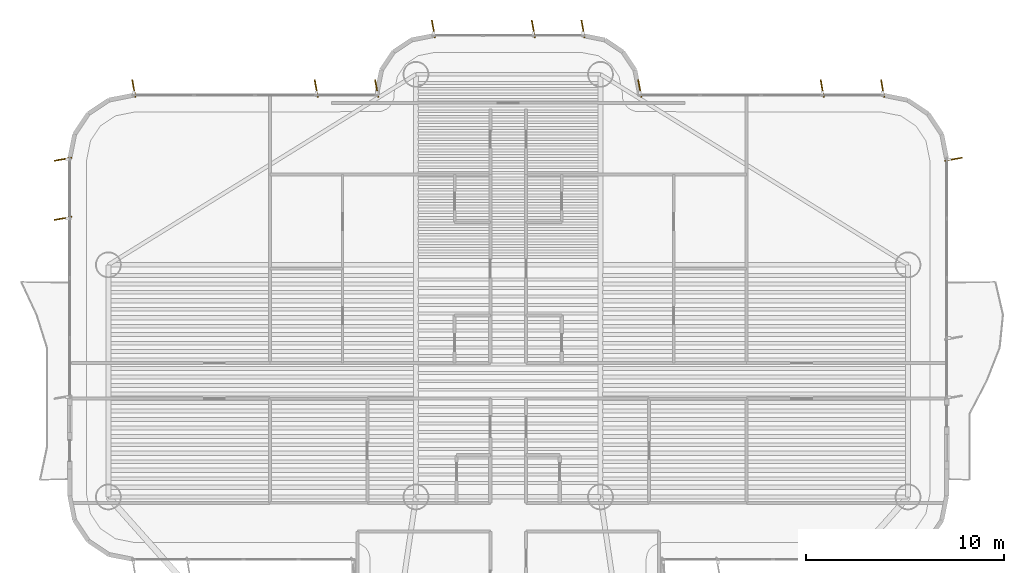
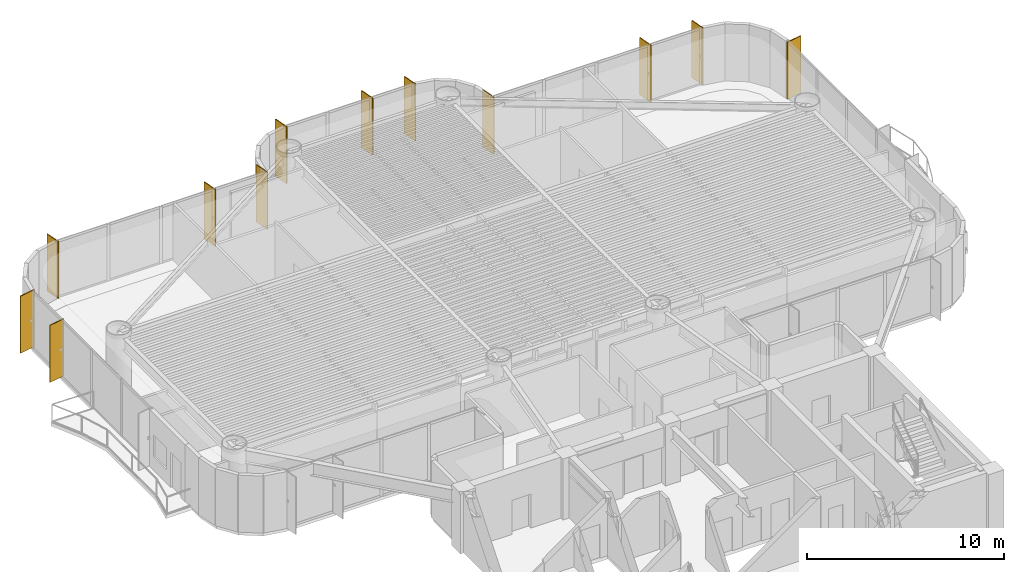
# One storey, part 17 of 17: 12 shading devices.
"""IFC4 building model written with IfcOpenShell, lengths in metres."""

from ifc_helpers import new_model, si_unit, direction, frame, origin, origin_2d, place, context, subcontext, project, spatial, rectangle, extrude, source, transform, mapped, material, material_profile, profile_set, type_object, element, save


model = new_model("IFC4")

# Units and contexts
model_context = context("Model", 3, precision=1e-05, world=origin(), true_north=direction((0.0, 1.0)))
body_context = subcontext(model_context, "Body", "Model", "MODEL_VIEW")
ifc_project = project(units=[si_unit("LENGTHUNIT", "METRE"), si_unit("AREAUNIT", "SQUARE_METRE"), si_unit("VOLUMEUNIT", "CUBIC_METRE"), si_unit("PLANEANGLEUNIT", "RADIAN"), si_unit("MASSUNIT", "GRAM", prefix="KILO")], contexts=[model_context])

# Site, building, storey
site_placement = place(None, origin())
site = spatial("IfcSite", under=ifc_project, at=site_placement, CompositionType="ELEMENT")
building_placement = place(site_placement, origin())
building = spatial("IfcBuilding", under=site, at=building_placement, Name="Brelvock Crest Care Tower", CompositionType="ELEMENT")
storey_placement = place(building_placement, frame((0.0, 0.0, 93.60009765625)))
storey = spatial("IfcBuildingStorey", under=building, at=storey_placement, Name="L23", CompositionType="ELEMENT", Elevation=93.60009765625)

# Shading devices
ifc_material = material(Name="Aluminium 6063-T6", Category="aluminium")
ifc_material_profile = material_profile(ifc_material, rectangle(XDim=0.054931640625, YDim=0.89990234375, at=origin_2d()), Name="FIN55x900")
ifc_profile_set = profile_set([ifc_material_profile], Name="Aluminium 6063-T6")
shading_device_type = type_object("IfcShadingDeviceType", Name="SHD-FIN1", PredefinedType="USERDEFINED", material=ifc_profile_set)
shared_shape = source(origin(), body_context, "Body", "SweptSolid", [
    extrude(rectangle(XDim=0.054931640625, YDim=0.89990234375, at=origin_2d()), origin(), (0.0, 0.0, 1.0), 3.52978515625),
])
for number, where, z_axis, x_axis, name in (
    (1, (13.56005859375, 41.1875, 0.0), (0.0, 0.0, 1.0), (-0.173648177667, 0.984807753012, 0.0), "L23 Vertical Sunshade Fin E17B-04"),
    (2, (13.56005859375, 44.169921875, 0.0), (0.0, 0.0, 1.0), (-0.173648177667, 0.984807753012, 0.0), "L23 Vertical Sunshade Fin E17B-05"),
    (3, (17.1298828125, 47.739990234375, 0.0), (0.0, 0.0, 1.0), (0.984807753012, 0.173648177667, 0.0), "L23 Vertical Sunshade Fin E22-01"),
    (4, (26.324951171875, 47.739990234375, 0.0), (0.0, 0.0, 1.0), (0.984807753012, 0.173648177667, 0.0), "L23 Vertical Sunshade Fin E22-04"),
    (5, (29.3701171875, 47.739990234375, 0.0), (0.0, 0.0, 1.0), (0.984807753012, 0.173648177667, 0.0), "L23 Vertical Sunshade Fin E22-05"),
    (6, (32.22998046875, 50.739990234375, 0.0), (0.0, 0.0, 1.0), (0.984807753012, 0.173648177667, 0.0), "L23 Vertical Sunshade Fin E28-01"),
    (7, (37.2666015625, 50.739990234375, 0.0), (0.0, 0.0, 1.0), (0.984807753012, 0.173648177667, 0.0), "L23 Vertical Sunshade Fin E28-03"),
    (8, (39.77001953125, 50.739990234375, 0.0), (0.0, 0.0, 1.0), (0.984807753012, 0.173648177667, 0.0), "L23 Vertical Sunshade Fin E28-04"),
    (9, (42.6298828125, 47.739990234375, 0.0), (0.0, 0.0, 1.0), (0.984807753012, 0.173648177667, 0.0), "L23 Vertical Sunshade Fin E34-01"),
    (10, (51.824951171875, 47.739990234375, 0.0), (0.0, 0.0, 1.0), (0.984807753012, 0.173648177667, 0.0), "L23 Vertical Sunshade Fin E34-04"),
    (11, (54.8701171875, 47.739990234375, 0.0), (0.0, 0.0, 1.0), (0.984807753012, 0.173648177667, 0.0), "L23 Vertical Sunshade Fin E34-05"),
    (12, (58.43994140625, 44.169921875, 0.0), (0.0, 0.0, 1.0), (0.173648177667, -0.984807753012, 0.0), "L23 Vertical Sunshade Fin E39A-01"),
):
    element("IfcShadingDevice", number, at=place(storey_placement, frame(where, z_axis=z_axis, x_axis=x_axis)), inside=storey, type_object=shading_device_type, Name=name, ObjectType="FIN", PredefinedType="USERDEFINED", context=body_context, shape_type="MappedRepresentation", body=[
        mapped(shared_shape, transform((0.0, 0.0, 0.0), x_axis=(1.0, 0.0, 0.0), y_axis=(0.0, 1.0, 0.0), z_axis=(0.0, 0.0, 1.0), scale=1.0)),
    ])

save(model, "model.ifc")
